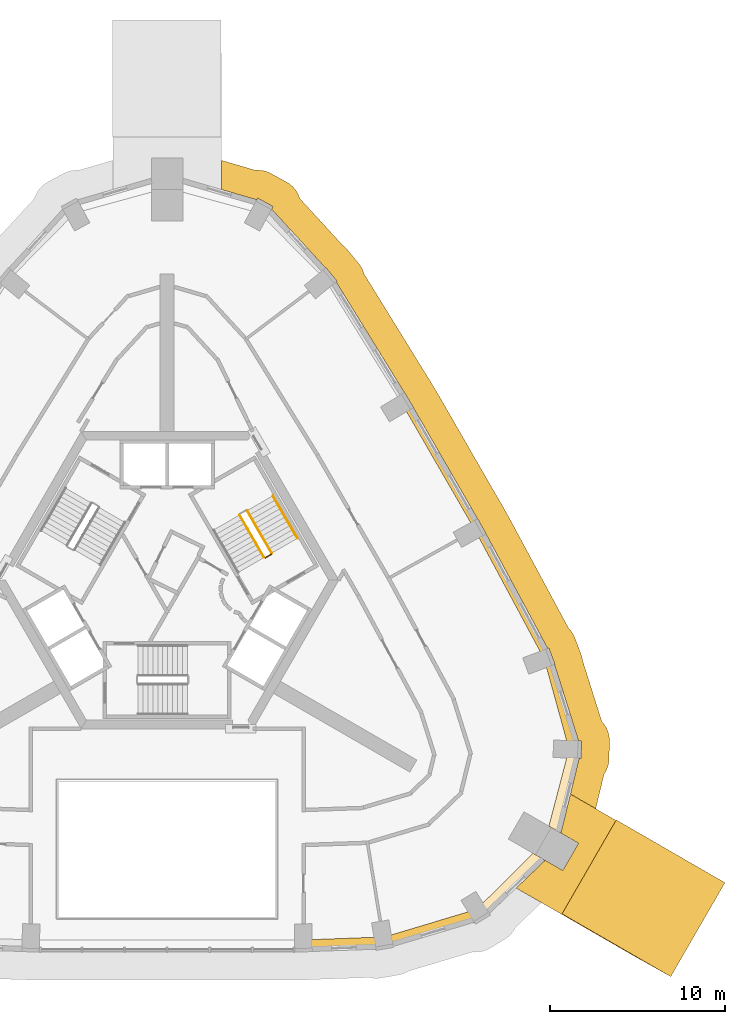
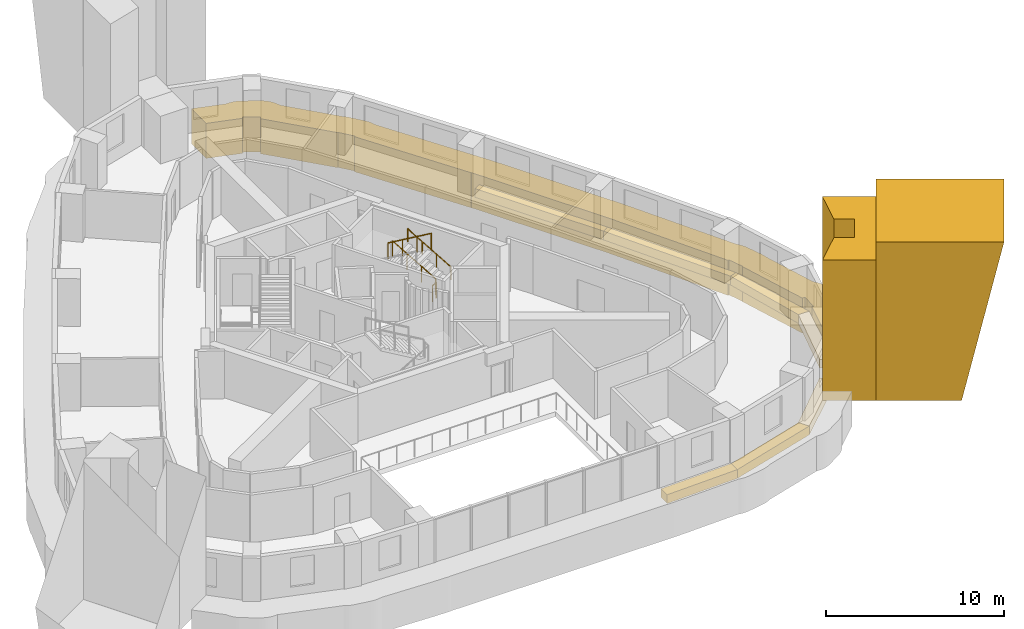
# One storey, part 10 of 11: 10 coverings, 4 railings.
"""IFC4 building model written with IfcOpenShell, lengths in metres."""

from ifc_helpers import new_model, si_unit, direction, frame, origin, origin_2d, place, context, subcontext, project, spatial, polyline, circle, outline, extrude, material, type_object, element, save


model = new_model("IFC4")

# Units and contexts
model_context = context("Model", 3, precision=1e-05, world=origin(), true_north=direction((0.0, 1.0)))
body_context = subcontext(model_context, "Body", "Model", "MODEL_VIEW")
ifc_project = project(units=[si_unit("LENGTHUNIT", "METRE"), si_unit("AREAUNIT", "SQUARE_METRE"), si_unit("VOLUMEUNIT", "CUBIC_METRE"), si_unit("PLANEANGLEUNIT", "RADIAN"), si_unit("MASSUNIT", "GRAM", prefix="KILO")], contexts=[model_context])

# Site, building, storey
site_placement = place(None, origin())
site = spatial("IfcSite", under=ifc_project, at=site_placement, CompositionType="ELEMENT")
building_placement = place(site_placement, origin())
building = spatial("IfcBuilding", under=site, at=building_placement, Name="Entoto Arch Interchange Tower", CompositionType="ELEMENT")
storey_placement = place(building_placement, frame((0.0, 0.0, 308.0)))
storey = spatial("IfcBuildingStorey", under=building, at=storey_placement, Name="L72", CompositionType="ELEMENT", Elevation=308.0)

# Coverings
ifc_material_1 = material(Name="Board-marked precast concrete C50/60", Category="concrete")
covering_type_1 = type_object("IfcCoveringType", Name="PRECAST FRAME COURSE", PredefinedType="CLADDING", material=ifc_material_1)
covering_1_placement = place(storey_placement, frame((0.0, 0.0, -0.340087890625)))
element("IfcCovering", 1, at=covering_1_placement, inside=storey, type_object=covering_type_1, Name="Corner pilaster SE L72-L74", PredefinedType="CLADDING", context=body_context, shape_type="SweptSolid", body=[
    extrude(outline(polyline([(25.657958984375, -11.23388671875), (22.55810546875, -16.60400390625), (19.9541015625, -15.10009765625), (21.611083984375, -13.51708984375), (22.617919921875, -14.097900390625), (23.51806640625, -12.5400390625), (22.510986328125, -11.9580078125), (23.053955078125, -9.73095703125), (25.657958984375, -11.23388671875)])), origin(), (0.0, 0.0, 1.0), 9.60009765625),
])
covering_2_placement = place(storey_placement, frame((22.55810546875, -16.60400390625, -0.340087890625), z_axis=(-0.49994489531, -0.866052053326, 0.002990415379), x_axis=(0.866055925679, -0.499947130801, -2.9585e-08)))
element("IfcCovering", 2, at=covering_2_placement, inside=storey, type_object=covering_type_1, Name="Corner rib SE L72-L74", PredefinedType="CLADDING", context=body_context, shape_type="SweptSolid", body=[
    extrude(outline(polyline([(0.0, 0.0), (4.802183295468787, 0.0), (7.174864032110919, 10.80009733089375), (-0.00029335782284531066, 10.800096976537732), (0.0, 0.0)])), origin(), (0.0, 0.0, -1.0), 6.199951171875),
])
covering_3_placement = place(storey_placement, frame((0.0, 0.0, -2.10009765625)))
element("IfcCovering", 3, at=covering_3_placement, inside=storey, type_object=covering_type_1, Name="Slab edge fin L72", PredefinedType="CLADDING", context=body_context, shape_type="SweptSolid", body=[
    extrude(outline(polyline([(5.5029296875, 25.89990234375), (5.655029296875, 25.861083984375), (5.802978515625, 25.805908203125), (5.944091796875, 25.738037109375), (6.822021484375, 25.259033203125), (6.9560546875, 25.177001953125), (7.0810546875, 25.0830078125), (7.197021484375, 24.97607421875), (7.301025390625, 24.85888671875), (7.39404296875, 24.73193359375), (7.472900390625, 24.596923828125), (7.5390625, 24.4541015625), (7.589111328125, 24.31005859375), (10.0458984375, 21.631103515625), (10.089111328125, 21.59912109375), (10.2060546875, 21.493896484375), (10.31103515625, 21.3779296875), (10.947021484375, 20.60595703125), (11.041015625, 20.47998046875), (11.1220703125, 20.345947265625), (11.18896484375, 20.2041015625), (11.241943359375, 20.055908203125), (11.2548828125, 20.006103515625), (14.85107421875, 14.177978515625), (14.85400390625, 14.174072265625), (14.94189453125, 14.04296875), (15.455078125, 13.18505859375), (15.468994140625, 13.162109375), (19.052001953125, 6.94091796875), (19.06298828125, 6.926025390625), (19.14599609375, 6.7919921875), (19.632080078125, 5.91796875), (19.64306640625, 5.89892578125), (22.9541015625, -0.257080078125), (22.989990234375, -0.2919921875), (23.092041015625, -0.412109375), (23.180908203125, -0.541015625), (23.257080078125, -0.677978515625), (23.319091796875, -0.822998046875), (23.669921875, -1.759033203125), (23.718017578125, -1.908935546875), (23.75, -2.06201171875), (23.756103515625, -2.114990234375), (24.847900390625, -5.58203125), (24.947998046875, -5.697021484375), (25.0390625, -5.825927734375), (25.115966796875, -5.9619140625), (25.179931640625, -6.10595703125), (25.22900390625, -6.2548828125), (25.262939453125, -6.407958984375), (25.282958984375, -6.56396484375), (25.287109375, -6.720947265625), (25.261962890625, -7.720947265625), (25.2509765625, -7.876953125), (25.22412109375, -8.031982421875), (25.181884765625, -8.18310546875), (25.1259765625, -8.330078125), (25.054931640625, -8.469970703125), (24.97802734375, -8.592041015625), (24.4990234375, -10.55908203125), (23.054931640625, -9.72509765625), (23.553955078125, -7.678955078125), (23.6630859375, -7.681884765625), (23.675048828125, -7.181884765625), (23.68701171875, -6.681884765625), (23.51611328125, -6.677978515625), (22.14599609375, -2.330078125), (22.1708984375, -2.320068359375), (21.99609375, -1.85205078125), (21.821044921875, -1.384033203125), (21.757080078125, -1.407958984375), (18.22802734375, 5.137939453125), (18.23388671875, 5.14111328125), (17.990966796875, 5.577880859375), (17.748046875, 6.014892578125), (17.740966796875, 6.010986328125), (14.075927734375, 12.35888671875), (14.0830078125, 12.363037109375), (13.825927734375, 12.7919921875), (13.569091796875, 13.220947265625), (13.56298828125, 13.218017578125), (9.658935546875, 19.5458984375), (9.7119140625, 19.589111328125), (9.39404296875, 19.97509765625), (9.075927734375, 20.361083984375), (9.055908203125, 20.343994140625), (5.97412109375, 23.705078125), (6.055908203125, 23.85498046875), (5.616943359375, 24.093994140625), (5.177978515625, 24.3330078125), (5.1259765625, 24.238037109375), (3.10498046875, 24.8291015625), (3.10498046875, 26.49609375), (5.048095703125, 25.927978515625), (5.19189453125, 25.93310546875), (5.347900390625, 25.924072265625), (5.5029296875, 25.89990234375)])), origin(), (0.0, 0.0, 1.0), 2.400146484375),
])
covering_type_2 = type_object("IfcCoveringType", Name="PRECAST LEDGE COURSE", PredefinedType="CLADDING", material=ifc_material_1)
covering_4_placement = place(storey_placement, frame((0.0, 0.0, -0.93994140625)))
element("IfcCovering", 4, at=covering_4_placement, inside=storey, type_object=covering_type_2, Name="Precast course S-03 L72", PredefinedType="CLADDING", context=body_context, shape_type="SweptSolid", body=[
    extrude(outline(polyline([(12.447998046875, -17.889892578125), (12.447998046875, -18.5810546875), (7.800048828125, -18.74609375), (7.800048828125, -18.06396484375), (12.447998046875, -17.889892578125)])), origin(), (0.0, 0.0, 1.0), 0.599853515625),
])
covering_5_placement = place(storey_placement, frame((0.0, 0.0, -0.93994140625)))
element("IfcCovering", 5, at=covering_5_placement, inside=storey, type_object=covering_type_2, Name="Precast course SE-01 L72", PredefinedType="CLADDING", context=body_context, shape_type="SweptSolid", body=[
    extrude(outline(polyline([(17.69189453125, -16.31201171875), (18.05810546875, -16.910888671875), (12.447998046875, -18.5810546875), (12.447998046875, -17.889892578125), (17.69189453125, -16.31201171875)])), origin(), (0.0, 0.0, 1.0), 0.599853515625),
])
covering_6_placement = place(storey_placement, frame((0.0, 0.0, -0.93994140625)))
element("IfcCovering", 6, at=covering_6_placement, inside=storey, type_object=covering_type_2, Name="Precast course SE-02 L72", PredefinedType="CLADDING", context=body_context, shape_type="SweptSolid", body=[
    extrude(outline(polyline([(20.9208984375, -13.116943359375), (21.612060546875, -13.51611328125), (18.05810546875, -16.910888671875), (17.69189453125, -16.31201171875), (20.9208984375, -13.116943359375)])), origin(), (0.0, 0.0, 1.0), 0.599853515625),
])
covering_7_placement = place(storey_placement, frame((0.0, 0.0, -0.93994140625)))
element("IfcCovering", 7, at=covering_7_placement, inside=storey, type_object=covering_type_2, Name="Precast course SE-03 L72", PredefinedType="CLADDING", context=body_context, shape_type="SweptSolid", body=[
    extrude(outline(polyline([(22.971923828125, -7.1650390625), (23.675048828125, -7.181884765625), (22.510986328125, -11.95703125), (21.821044921875, -11.55810546875), (22.971923828125, -7.1650390625)])), origin(), (0.0, 0.0, 1.0), 0.599853515625),
])
covering_8_placement = place(storey_placement, frame((0.0, 0.0, -0.93994140625)))
element("IfcCovering", 8, at=covering_8_placement, inside=storey, type_object=covering_type_2, Name="Precast course SE-04 L72", PredefinedType="CLADDING", context=body_context, shape_type="SweptSolid", body=[
    extrude(outline(polyline([(21.556884765625, -2.01708984375), (21.99609375, -1.85205078125), (23.675048828125, -7.181884765625), (22.971923828125, -7.1650390625), (21.556884765625, -2.01708984375)])), origin(), (0.0, 0.0, 1.0), 0.599853515625),
])
covering_9_placement = place(storey_placement, frame((0.0, 0.0, -0.93994140625)))
element("IfcCovering", 9, at=covering_9_placement, inside=storey, type_object=covering_type_2, Name="Precast course NE-01 L72", PredefinedType="CLADDING", context=body_context, shape_type="SweptSolid", body=[
    extrude(outline(polyline([(17.595947265625, 5.35791015625), (17.990966796875, 5.577880859375), (21.99609375, -1.85205078125), (21.556884765625, -2.01708984375), (17.595947265625, 5.35791015625)])), origin(), (0.0, 0.0, 1.0), 0.599853515625),
])
covering_10_placement = place(storey_placement, frame((0.0, 0.0, -0.93994140625)))
element("IfcCovering", 10, at=covering_10_placement, inside=storey, type_object=covering_type_2, Name="Precast course NE-02 L72", PredefinedType="CLADDING", context=body_context, shape_type="SweptSolid", body=[
    extrude(outline(polyline([(13.43798828125, 12.56005859375), (13.825927734375, 12.7919921875), (17.990966796875, 5.577880859375), (17.595947265625, 5.35791015625), (13.43798828125, 12.56005859375)])), origin(), (0.0, 0.0, 1.0), 0.599853515625),
])

# Railings
ifc_material_2 = material(Name="Stainless steel 1.4301", Category="steel")
railing_type_1 = type_object("IfcRailingType", Name="STAIR GUARD 1100 STEEL", PredefinedType="GUARDRAIL", material=ifc_material_2)
railing_1_placement = place(storey_placement, frame((5.977783203125, 4.046142578125, 0.16357421875)))
element("IfcRailing", 11, at=railing_1_placement, inside=storey, type_object=railing_type_1, Name="L72 ST-NE stair guard 1", PredefinedType="GUARDRAIL", context=body_context, shape_type="SweptSolid", body=[
    extrude(circle(Radius=0.02392578125, at=origin_2d()), frame((0.0, 0.0, 1.076171875), z_axis=(-0.431660630283, 0.747689811644, 0.504607813879), x_axis=(-0.866034573852, -0.49998411664, 0.0)), (0.0, 0.0, 1.0), 3.2431640625),
    extrude(circle(Radius=0.02099609375, at=origin_2d()), origin(), (0.0, 0.0, 1.0), 1.052001953125),
    extrude(circle(Radius=0.02099609375, at=origin_2d()), frame((-0.466552734375, 0.808349609375, 0.54541015625)), (0.0, 0.0, 1.0), 1.052001953125),
    extrude(circle(Radius=0.02099609375, at=origin_2d()), frame((-0.933349609375, 1.616455078125, 1.091064453125)), (0.0, 0.0, 1.0), 1.052001953125),
    extrude(circle(Radius=0.02099609375, at=origin_2d()), frame((-1.39990234375, 2.4248046875, 1.636474609375)), (0.0, 0.0, 1.0), 1.052001953125),
])
railing_2_placement = place(storey_placement, frame((4.144775390625, 6.220947265625, 1.963623046875)))
element("IfcRailing", 12, at=railing_2_placement, inside=storey, type_object=railing_type_1, Name="L72 ST-NE stair guard 3", PredefinedType="GUARDRAIL", context=body_context, shape_type="SweptSolid", body=[
    extrude(circle(Radius=0.02392578125, at=origin_2d()), frame((0.0, 0.0, 1.076171875), z_axis=(0.431721881032, -0.747665513933, 0.504591415616), x_axis=(0.865996816683, 0.500049511043, 0.0)), (0.0, 0.0, 1.0), 3.2431640625),
    extrude(circle(Radius=0.02099609375, at=origin_2d()), origin(), (0.0, 0.0, 1.0), 1.052001953125),
    extrude(circle(Radius=0.02099609375, at=origin_2d()), frame((0.466796875, -0.808349609375, 0.54541015625)), (0.0, 0.0, 1.0), 1.052001953125),
    extrude(circle(Radius=0.02099609375, at=origin_2d()), frame((0.933349609375, -1.616455078125, 1.091064453125)), (0.0, 0.0, 1.0), 1.052001953125),
    extrude(circle(Radius=0.02099609375, at=origin_2d()), frame((1.400146484375, -2.4248046875, 1.636474609375)), (0.0, 0.0, 1.0), 1.052001953125),
])
railing_3_placement = place(storey_placement, frame((5.95947265625, 3.977783203125, 0.0)))
element("IfcRailing", 13, at=railing_3_placement, inside=storey, type_object=railing_type_1, Name="L72 ST-NE stair guard 4", PredefinedType="GUARDRAIL", context=body_context, shape_type="SweptSolid", body=[
    extrude(circle(Radius=0.02392578125, at=origin_2d()), frame((0.0, 0.0, 1.076171875), z_axis=(-0.866094119867, -0.499880961361, 0.0), x_axis=(0.499880961361, -0.866094119867, 0.0)), (0.0, 0.0, 1.0), 0.39990234375),
    extrude(circle(Radius=0.02099609375, at=origin_2d()), origin(), (0.0, 0.0, 1.0), 1.052001953125),
    extrude(circle(Radius=0.02099609375, at=origin_2d()), frame((-0.346435546875, -0.199951171875, 0.0)), (0.0, 0.0, 1.0), 1.052001953125),
])
railing_type_2 = type_object("IfcRailingType", Name="STAIR HANDRAIL 900 STEEL", PredefinedType="HANDRAIL", material=ifc_material_2)
railing_4_placement = place(storey_placement, frame((7.4501953125, 4.89599609375, 0.16357421875)))
element("IfcRailing", 14, at=railing_4_placement, inside=storey, type_object=railing_type_2, Name="L72 ST-NE stair handrail 1", PredefinedType="HANDRAIL", context=body_context, shape_type="SweptSolid", body=[
    extrude(circle(Radius=0.02392578125, at=origin_2d()), frame((0.0, 0.0, 0.8759765625), z_axis=(-0.431697583215, 0.747698708645, 0.504563016616), x_axis=(-0.866018616679, -0.500011755427, 0.0)), (0.0, 0.0, 1.0), 3.243408203125),
    extrude(circle(Radius=0.02099609375, at=origin_2d()), origin(), (0.0, 0.0, 1.0), 0.851806640625),
    extrude(circle(Radius=0.02099609375, at=origin_2d()), frame((-0.466796875, 0.808349609375, 0.54541015625)), (0.0, 0.0, 1.0), 0.851806640625),
    extrude(circle(Radius=0.02099609375, at=origin_2d()), frame((-0.933349609375, 1.61669921875, 1.091064453125)), (0.0, 0.0, 1.0), 0.851806640625),
    extrude(circle(Radius=0.02099609375, at=origin_2d()), frame((-1.400146484375, 2.425048828125, 1.636474609375)), (0.0, 0.0, 1.0), 0.851806640625),
])

save(model, "model.ifc")
